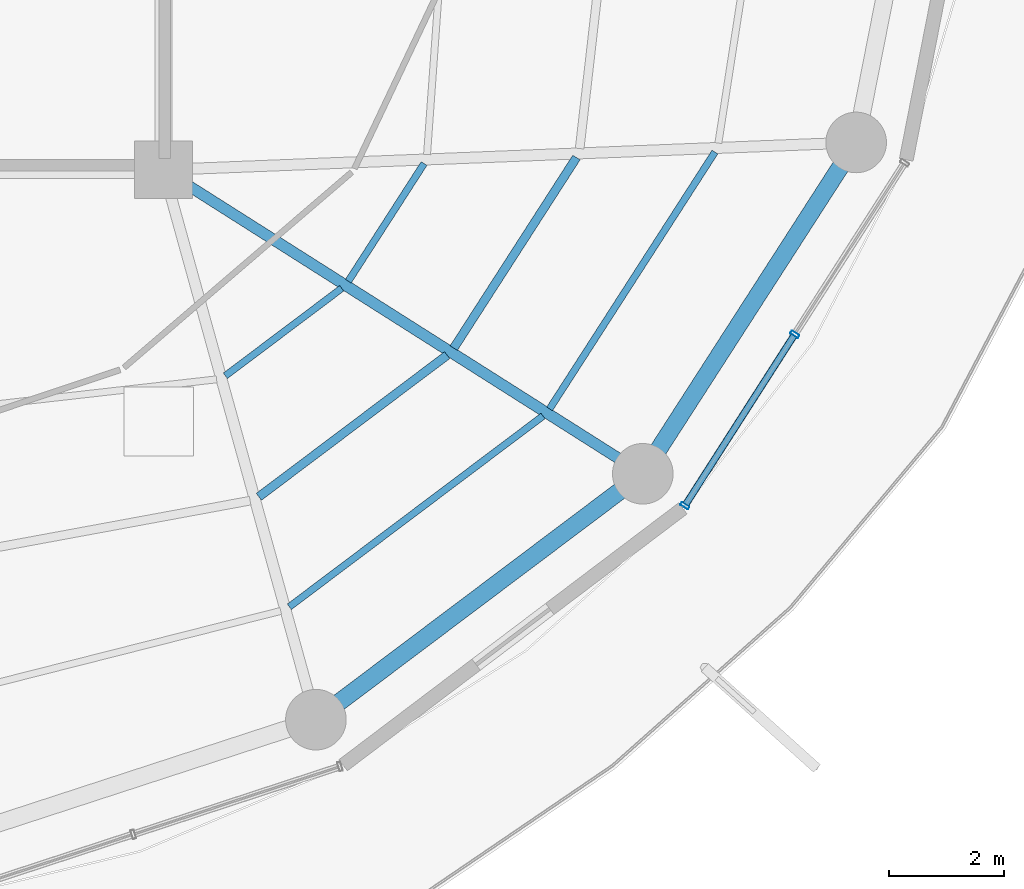
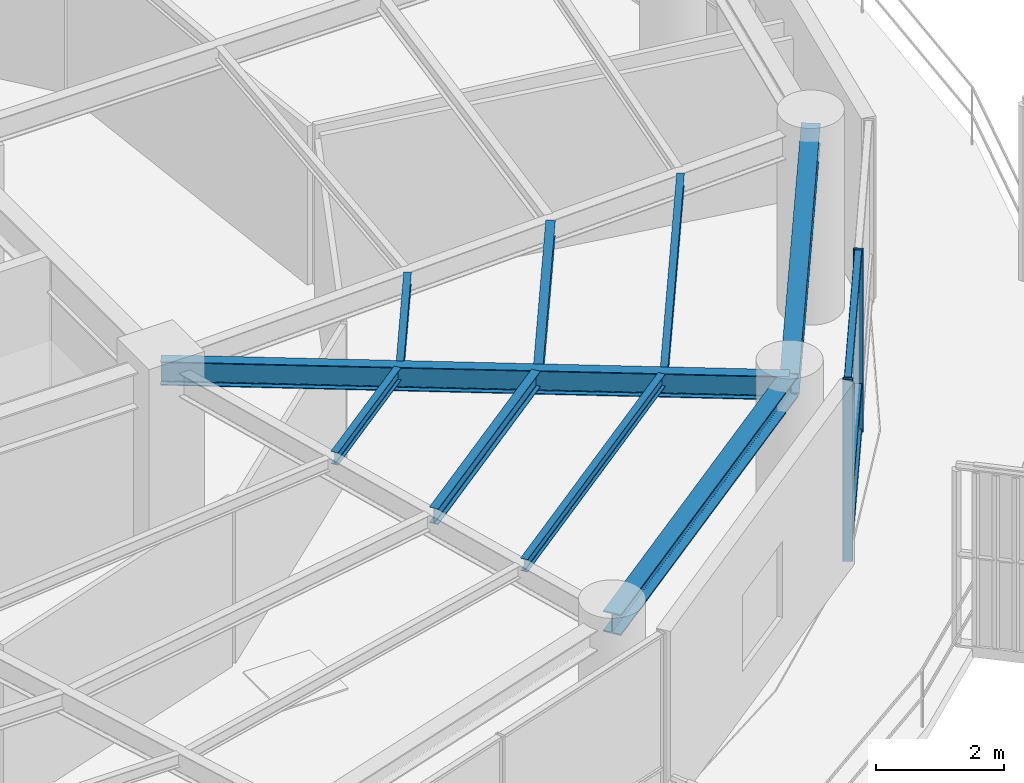
# One storey, part 11 of 31: 9 beams, 5 members, 1 element without a shape of its own.
"""IFC4 building model written with IfcOpenShell, lengths in metres."""

import ifcopenshell
import ifcopenshell.guid

model = None  # the IFC model being written
_history = None  # IfcOwnerHistory: only IFC2X3 demands one
_inside = {}  # id of a spatial element -> (the spatial element, [elements in it])
_under = {}  # id of a project, library or spatial element -> (it, [spatial elements below it])
_declared = {}  # id of a project -> (the project, [libraries it declares])
_typed = {}  # id of a type object -> (the type object, [elements of that type])
_made_of = {}  # id of a material, layer set ... -> (it, [elements and type objects made of it])


def new_model(schema):
    """Start an empty IFC model of exactly this schema.

    Asked for "IFC4X3", IfcOpenShell would pick the latest addendum, in which some entities
    have other attributes; the version numbers below select the first issue.
    IFC2X3 requires an IfcOwnerHistory on every rooted entity: one is made here for all.
    """
    global model, _history
    if schema == "IFC4X3":
        model = ifcopenshell.file(schema_version=(4, 3, 0, 0))
    else:
        model = ifcopenshell.file(schema=schema)
    _inside.clear()
    _under.clear()
    _declared.clear()
    _typed.clear()
    _made_of.clear()
    _history = None
    if model.schema == "IFC2X3":
        org = make("IfcOrganization", Name="unknown")
        user = make(
            "IfcPersonAndOrganization",
            ThePerson=make("IfcPerson", FamilyName="unknown"),
            TheOrganization=org,
        )
        app = make(
            "IfcApplication",
            ApplicationDeveloper=org,
            Version="unknown",
            ApplicationFullName="unknown",
            ApplicationIdentifier="unknown",
        )
        _history = make(
            "IfcOwnerHistory",
            OwningUser=user,
            OwningApplication=app,
            ChangeAction="ADDED",
            CreationDate=0,
        )
    return model


def make(cls, **values):
    """One entity of the class cls with the attributes given. An attribute that is None is left unset."""
    return model.create_entity(
        cls, **{name: value for name, value in values.items() if value is not None}
    )


def rooted(cls, **values):
    """An entity with a GlobalId (a new one), such as an element, a storey or a relation."""
    return make(cls, GlobalId=ifcopenshell.guid.new(), OwnerHistory=_history, **values)


def si_unit(unit_type, name, prefix=None):
    """IfcSIUnit, for example si_unit("LENGTHUNIT", "METRE", prefix="MILLI")."""
    return make("IfcSIUnit", UnitType=unit_type, Prefix=prefix, Name=name)


def assignment(units):
    """IfcUnitAssignment: the units of a project."""
    return None if units is None else make("IfcUnitAssignment", Units=units)


def point(xyz):
    """IfcCartesianPoint."""
    return None if xyz is None else make("IfcCartesianPoint", Coordinates=xyz)


def direction(xyz):
    """IfcDirection."""
    return None if xyz is None else make("IfcDirection", DirectionRatios=xyz)


def frame(location, z_axis=None, x_axis=None):
    """IfcAxis2Placement3D, a coordinate frame: its origin and axes. An axis left out is left unset."""
    return make(
        "IfcAxis2Placement3D",
        Location=point(location),
        Axis=direction(z_axis),
        RefDirection=direction(x_axis),
    )


def frame_2d(location, x_axis=None):
    """IfcAxis2Placement2D, a coordinate frame in the plane: its origin and x axis."""
    return make(
        "IfcAxis2Placement2D", Location=point(location), RefDirection=direction(x_axis)
    )


def origin():
    """The frame at (0, 0, 0) with its axes left unset."""
    return frame((0.0, 0.0, 0.0))


def origin_2d():
    """The frame at (0, 0) in the plane with its x axis left unset."""
    return frame_2d((0.0, 0.0))


def place(relative_to, where):
    """IfcLocalPlacement: puts the frame where relative to a parent placement (None: the world)."""
    return make(
        "IfcLocalPlacement", PlacementRelTo=relative_to, RelativePlacement=where
    )


def context(
    kind, dimensions, precision=None, world=None, true_north=None, identifier=None
):
    """IfcGeometricRepresentationContext, for example the 3D "Model" context."""
    return make(
        "IfcGeometricRepresentationContext",
        ContextIdentifier=identifier,
        ContextType=kind,
        CoordinateSpaceDimension=dimensions,
        Precision=precision,
        WorldCoordinateSystem=world,
        TrueNorth=true_north,
    )


def subcontext(parent, identifier, kind, view, scale=None):
    """IfcGeometricRepresentationSubContext, for example "Body" below "Model"."""
    return make(
        "IfcGeometricRepresentationSubContext",
        ContextIdentifier=identifier,
        ContextType=kind,
        ParentContext=parent,
        TargetScale=scale,
        TargetView=view,
    )


def project(units=None, contexts=None):
    """IfcProject with its units and contexts."""
    return rooted(
        "IfcProject",
        Name="project",
        RepresentationContexts=contexts,
        UnitsInContext=assignment(units),
    )


def spatial(cls, under=None, at=None, **own):
    """A site, building, storey or space (cls), placed at a placement, below another one or the project."""
    s = rooted(cls, ObjectPlacement=at, **own)
    if under is not None:
        _under.setdefault(under.id(), (under, []))[1].append(s)
    return s


def profile(cls, at=None, kind="AREA", **sizes):
    """A parametric profile (cls). Its sizes go by their IFC names, for example OverallWidth=200.0."""
    return make(cls, ProfileType=kind, Position=at, **sizes)


def hollow_rectangle(**sizes):
    """IfcRectangleHollowProfileDef."""
    return profile("IfcRectangleHollowProfileDef", **sizes)


def i_section(**sizes):
    """IfcIShapeProfileDef."""
    return profile("IfcIShapeProfileDef", **sizes)


def extrude(swept, where, along, depth):
    """IfcExtrudedAreaSolid: the profile swept, set in the frame where, extruded along a direction by depth."""
    return make(
        "IfcExtrudedAreaSolid",
        SweptArea=swept,
        Position=where,
        ExtrudedDirection=direction(along),
        Depth=depth,
    )


def shape(context_of_items, identifier, shape_type, items):
    """IfcShapeRepresentation: the items that make up one representation, for example the "Body"."""
    return make(
        "IfcShapeRepresentation",
        ContextOfItems=context_of_items,
        RepresentationIdentifier=identifier,
        RepresentationType=shape_type,
        Items=items,
    )


def material(Name=None, Category=None):
    """IfcMaterial."""
    return make("IfcMaterial", Name=Name, Category=Category)


def layer(
    of_material, thickness, ventilated=None, Name=None, Category=None, Priority=None
):
    """IfcMaterialLayer: one layer of a wall or slab, of a material (None: an air gap)."""
    return make(
        "IfcMaterialLayer",
        Material=of_material,
        LayerThickness=thickness,
        IsVentilated=ventilated,
        Name=Name,
        Category=Category,
        Priority=Priority,
    )


def layer_set(layers, Name=None):
    """IfcMaterialLayerSet."""
    return make("IfcMaterialLayerSet", MaterialLayers=layers, LayerSetName=Name)


def material_profile(
    of_material, cross_section, Name=None, Category=None, Priority=None
):
    """IfcMaterialProfile: a cross section and its material."""
    return make(
        "IfcMaterialProfile",
        Name=Name,
        Material=of_material,
        Profile=cross_section,
        Priority=Priority,
        Category=Category,
    )


def profile_set(profiles, Name=None, composite=None):
    """IfcMaterialProfileSet."""
    return make(
        "IfcMaterialProfileSet",
        Name=Name,
        MaterialProfiles=profiles,
        CompositeProfile=composite,
    )


def made_of(thing, what):
    """Note that an element or type object is made of a material, layer set ...; save() writes the relation."""
    if what is not None:
        _made_of.setdefault(what.id(), (what, []))[1].append(thing)
    return thing


def type_object(cls, material=None, **own):
    """A type object (cls), such as IfcWallType, which elements share."""
    return made_of(rooted(cls, **own), material)


def element(
    cls,
    number,
    at=None,
    inside=None,
    cuts=None,
    type_object=None,
    material=None,
    context=None,
    identifier="Body",
    shape_type=None,
    held_by="IfcProductDefinitionShape",
    body=None,
    shapes=None,
    **own,
):
    """One element of the class cls, such as IfcWall. Its Tag is "e" and its number.

    at: its placement. inside: the storey or other place that contains it. cuts: it is an
    opening in that element (IfcRelVoidsElement). A single representation is given by context,
    identifier, shape_type and body (its items); several are given by shapes. held_by: the class
    of the entity that holds the representations. save() writes the other relations.
    """
    e = rooted(cls, Tag="e%d" % number, ObjectPlacement=at, **own)
    if body is not None:
        shapes = [shape(context, identifier, shape_type, body)]
    if shapes is not None:
        e.Representation = make(held_by, Representations=shapes)
    if inside is not None:
        _inside.setdefault(inside.id(), (inside, []))[1].append(e)
    if cuts is not None:
        rooted(
            "IfcRelVoidsElement", RelatingBuildingElement=cuts, RelatedOpeningElement=e
        )
    if type_object is not None:
        _typed.setdefault(type_object.id(), (type_object, []))[1].append(e)
    return made_of(e, material)


def aggregate(whole, parts):
    """IfcRelAggregates: a whole, such as a stair, and the parts it consists of."""
    return rooted("IfcRelAggregates", RelatingObject=whole, RelatedObjects=parts)


def save(model, path):
    """Write the relations noted so far, then the file.

    IfcRelAggregates (storeys below a building ...), IfcRelContainedInSpatialStructure (elements
    in a storey), IfcRelDefinesByType, IfcRelAssociatesMaterial and IfcRelDeclares: one each for
    every whole, place, type object, material and project.
    """
    for whole, parts in _under.values():
        aggregate(whole, parts)
    for where, things in _inside.values():
        rooted(
            "IfcRelContainedInSpatialStructure",
            RelatedElements=things,
            RelatingStructure=where,
        )
    for kind, things in _typed.values():
        rooted("IfcRelDefinesByType", RelatedObjects=things, RelatingType=kind)
    for what, things in _made_of.values():
        rooted("IfcRelAssociatesMaterial", RelatedObjects=things, RelatingMaterial=what)
    for by, libraries in _declared.values():
        rooted("IfcRelDeclares", RelatingContext=by, RelatedDefinitions=libraries)
    model.write(path)


model = new_model("IFC4")

# Units and contexts
model_context = context("Model", 3, precision=1e-05, world=origin(), true_north=direction((0.0, 1.0)))
body_context = subcontext(model_context, "Body", "Model", "MODEL_VIEW")
ifc_project = project(units=[si_unit("LENGTHUNIT", "METRE"), si_unit("AREAUNIT", "SQUARE_METRE"), si_unit("VOLUMEUNIT", "CUBIC_METRE"), si_unit("PLANEANGLEUNIT", "RADIAN"), si_unit("MASSUNIT", "GRAM", prefix="KILO")], contexts=[model_context])

# Site, building, storey
site_placement = place(None, origin())
site = spatial("IfcSite", under=ifc_project, at=site_placement, CompositionType="ELEMENT")
building_placement = place(site_placement, origin())
building = spatial("IfcBuilding", under=site, at=building_placement, Name="Kelanora Arch Commons", CompositionType="ELEMENT")
storey_placement = place(building_placement, frame((0.0, 0.0, 226.949951171875)))
storey = spatial("IfcBuildingStorey", under=building, at=storey_placement, Name="L58", CompositionType="ELEMENT", Elevation=226.949951171875)

# Beams
ifc_material_1 = material(Name="Steel S355", Category="steel")
ifc_material_profile_1 = material_profile(ifc_material_1, i_section(OverallWidth=0.14990234375, OverallDepth=0.300048828125, WebThickness=0.007080078125, FlangeThickness=0.0107421875, FilletRadius=0.014892578125, at=origin_2d()), Name="IPE300")
ifc_profile_set_1 = profile_set([ifc_material_profile_1], Name="Steel S355")
beam_type_1 = type_object("IfcBeamType", Name="BM-JST-01", PredefinedType="JOIST", material=ifc_profile_set_1)
beam_1_placement = place(storey_placement, frame((83.65185546875, 45.3369140625, 3.340087890625), z_axis=(0.799101708656, 0.601195857624, 0.0), x_axis=(-0.601195857624, 0.799101708656, 0.0)))
element("IfcBeam", 1, at=beam_1_placement, inside=storey, type_object=beam_type_1, Name="Secondary Chord Joist BJB-30 L58", PredefinedType="JOIST", context=body_context, shape_type="SweptSolid", body=[
    extrude(i_section(OverallWidth=0.14990234375, OverallDepth=0.300048828125, WebThickness=0.007080078125, FlangeThickness=0.0107421875, FilletRadius=0.014892578125, at=origin_2d()), origin(), (0.0, 0.0, 1.0), 4.080810546875),
])
beam_2_placement = place(storey_placement, frame((87.02685546875, 47.912841796875, 3.340087890625), z_axis=(0.541411265892, 0.840757896879, 0.0), x_axis=(-0.840757896879, 0.541411265892, 0.0)))
element("IfcBeam", 2, at=beam_2_placement, inside=storey, type_object=beam_type_1, Name="Secondary Chord Joist BJB-32 L58", PredefinedType="JOIST", context=body_context, shape_type="SweptSolid", body=[
    extrude(i_section(OverallWidth=0.14990234375, OverallDepth=0.300048828125, WebThickness=0.007080078125, FlangeThickness=0.0107421875, FilletRadius=0.014892578125, at=origin_2d()), origin(), (0.0, 0.0, 1.0), 3.92529296875),
])
ifc_material_profile_2 = material_profile(ifc_material_1, i_section(OverallWidth=0.1201171875, OverallDepth=0.239990234375, WebThickness=0.006103515625, FlangeThickness=0.009765625, FilletRadius=0.014892578125, at=origin_2d()), Name="IPE240")
ifc_profile_set_2 = profile_set([ifc_material_profile_2], Name="Steel S355")
beam_type_2 = type_object("IfcBeamType", Name="BM-JST-02", PredefinedType="JOIST", material=ifc_profile_set_2)
beam_3_placement = place(storey_placement, frame((83.071044921875, 47.43212890625, 3.3701171875), z_axis=(0.79911638933, 0.601176343766, 0.0), x_axis=(-0.601176343766, 0.79911638933, 0.0)))
element("IfcBeam", 3, at=beam_3_placement, inside=storey, type_object=beam_type_2, Name="Secondary Chord Joist BJA-30 L58", PredefinedType="JOIST", context=body_context, shape_type="SweptSolid", body=[
    extrude(i_section(OverallWidth=0.1201171875, OverallDepth=0.239990234375, WebThickness=0.006103515625, FlangeThickness=0.009765625, FilletRadius=0.014892578125, at=origin_2d()), origin(), (0.0, 0.0, 1.0), 2.522216796875),
])
beam_4_placement = place(storey_placement, frame((84.179931640625, 43.43212890625, 3.3701171875), z_axis=(0.799109197935, 0.601185902842, 0.0), x_axis=(-0.601185902842, 0.799109197935, 0.0)))
element("IfcBeam", 4, at=beam_4_placement, inside=storey, type_object=beam_type_2, Name="Secondary Chord Joist BJC-30 L58", PredefinedType="JOIST", context=body_context, shape_type="SweptSolid", body=[
    extrude(i_section(OverallWidth=0.1201171875, OverallDepth=0.239990234375, WebThickness=0.006103515625, FlangeThickness=0.009765625, FilletRadius=0.014892578125, at=origin_2d()), origin(), (0.0, 0.0, 1.0), 5.497802734375),
])
beam_5_placement = place(storey_placement, frame((85.20068359375, 49.071044921875, 3.3701171875), z_axis=(0.541332763503, 0.840808443796, 0.0), x_axis=(-0.840808443796, 0.541332763503, 0.0)))
element("IfcBeam", 5, at=beam_5_placement, inside=storey, type_object=beam_type_2, Name="Secondary Chord Joist BJA-32 L58", PredefinedType="JOIST", context=body_context, shape_type="SweptSolid", body=[
    extrude(i_section(OverallWidth=0.1201171875, OverallDepth=0.239990234375, WebThickness=0.006103515625, FlangeThickness=0.009765625, FilletRadius=0.014892578125, at=origin_2d()), origin(), (0.0, 0.0, 1.0), 2.423583984375),
])
beam_6_placement = place(storey_placement, frame((88.68701171875, 46.85986328125, 3.3701171875), z_axis=(0.541382492679, 0.840776424872, 0.0), x_axis=(-0.840776424872, 0.541382492679, 0.0)))
element("IfcBeam", 6, at=beam_6_placement, inside=storey, type_object=beam_type_2, Name="Secondary Chord Joist BJC-32 L58", PredefinedType="JOIST", context=body_context, shape_type="SweptSolid", body=[
    extrude(i_section(OverallWidth=0.1201171875, OverallDepth=0.239990234375, WebThickness=0.006103515625, FlangeThickness=0.009765625, FilletRadius=0.014892578125, at=origin_2d()), origin(), (0.0, 0.0, 1.0), 5.29052734375),
])
ifc_material_profile_3 = material_profile(ifc_material_1, i_section(OverallWidth=0.18994140625, OverallDepth=0.449951171875, WebThickness=0.009521484375, FlangeThickness=0.0146484375, FilletRadius=0.02099609375, at=origin_2d()), Name="IPE450")
ifc_profile_set_3 = profile_set([ifc_material_profile_3], Name="Steel S355")
beam_type_3 = type_object("IfcBeamType", Name="BM-RAD-Z4", PredefinedType="BEAM", material=ifc_profile_set_3)
beam_7_placement = place(storey_placement, frame((82.0, 51.0, 3.26513671875), z_axis=(0.844507208607, -0.535544185489, 0.0), x_axis=(0.535544185489, 0.844507208607, 0.0)))
element("IfcBeam", 7, at=beam_7_placement, inside=storey, type_object=beam_type_3, Name="Radial Floor Girder BR-32 L58", PredefinedType="BEAM", context=body_context, shape_type="SweptSolid", body=[
    extrude(i_section(OverallWidth=0.18994140625, OverallDepth=0.449951171875, WebThickness=0.009521484375, FlangeThickness=0.0146484375, FilletRadius=0.02099609375, at=origin_2d()), origin(), (0.0, 0.0, 1.0), 9.830078125),
])
ifc_material_profile_4 = material_profile(ifc_material_1, i_section(OverallWidth=0.300048828125, OverallDepth=0.39990234375, WebThickness=0.013427734375, FlangeThickness=0.02392578125, FilletRadius=0.027099609375, at=origin_2d()), Name="HEB400")
ifc_profile_set_4 = profile_set([ifc_material_profile_4], Name="Steel S355")
beam_type_4 = type_object("IfcBeamType", Name="BM-SPN-Z4", PredefinedType="SPANDREL", material=ifc_profile_set_4)
beam_8_placement = place(storey_placement, frame((84.639892578125, 41.476318359375, 3.2900390625), z_axis=(0.799114211715, 0.60117923836, 0.0), x_axis=(-0.60117923836, 0.799114211715, 0.0)))
element("IfcBeam", 8, at=beam_8_placement, inside=storey, type_object=beam_type_4, Name="Perimeter Spandrel Beam BS-30 L58", PredefinedType="SPANDREL", context=body_context, shape_type="SweptSolid", body=[
    extrude(i_section(OverallWidth=0.300048828125, OverallDepth=0.39990234375, WebThickness=0.013427734375, FlangeThickness=0.02392578125, FilletRadius=0.027099609375, at=origin_2d()), origin(), (0.0, 0.0, 1.0), 7.0849609375),
])
beam_9_placement = place(storey_placement, frame((90.301513671875, 45.735595703125, 3.2900390625), z_axis=(0.541364878868, 0.840787766281, 0.0), x_axis=(-0.840787766281, 0.541364878868, 0.0)))
element("IfcBeam", 9, at=beam_9_placement, inside=storey, type_object=beam_type_4, Name="Perimeter Spandrel Beam BS-32 L58", PredefinedType="SPANDREL", context=body_context, shape_type="SweptSolid", body=[
    extrude(i_section(OverallWidth=0.300048828125, OverallDepth=0.39990234375, WebThickness=0.013427734375, FlangeThickness=0.02392578125, FilletRadius=0.027099609375, at=origin_2d()), origin(), (0.0, 0.0, 1.0), 6.825439453125),
])

# Curtain wall, members
ifc_material_2 = material(Name="Terracotta ceramic-fritted low-E glass and aluminium", Category="masonry")
ifc_layer = layer(ifc_material_2, 0.175048828125)
ifc_layer_set = layer_set([ifc_layer], Name="Terracotta ceramic-fritted low-E glass and aluminium")
curtain_wall_type = type_object("IfcCurtainWallType", Name="CW-SYS-02", PredefinedType="NOTDEFINED", material=ifc_layer_set)
curtain_wall_placement = place(storey_placement, origin())
curtain_wall = element("IfcCurtainWall", 10, at=curtain_wall_placement, inside=storey, type_object=curtain_wall_type, Name="Unitised Curtain Wall L58-B16", PredefinedType="NOTDEFINED")
ifc_material_3 = material(Name="Powder-coated aluminium terracotta", Category="masonry")
ifc_material_profile_5 = material_profile(ifc_material_3, hollow_rectangle(XDim=0.159912109375, YDim=0.06005859375, WallThickness=0.0048828125, InnerFilletRadius=0.0048828125, OuterFilletRadius=0.010009765625, at=origin_2d()), Name="CWM160x60")
ifc_profile_set_5 = profile_set([ifc_material_profile_5], Name="Powder-coated aluminium terracotta")
member_type_1 = type_object("IfcMemberType", Name="CWM-STD", PredefinedType="MULLION", material=ifc_profile_set_5)
member_1_placement = place(storey_placement, frame((91.030517578125, 45.18212890625, 0.0), z_axis=(0.0, 0.0, 1.0), x_axis=(-0.84194757539, 0.539559338994, 0.0)))
member_1 = element("IfcMember", 11, at=member_1_placement, type_object=member_type_1, Name="CW-02 mullion 1", PredefinedType="MULLION", context=body_context, shape_type="SweptSolid", body=[
    extrude(hollow_rectangle(XDim=0.159912109375, YDim=0.06005859375, WallThickness=0.0048828125, InnerFilletRadius=0.0048828125, OuterFilletRadius=0.010009765625, at=origin_2d()), origin(), (0.0, 0.0, 1.0), 3.47509765625),
])
member_2_placement = place(storey_placement, frame((92.93359375, 48.15185546875, 0.0), z_axis=(0.0, 0.0, 1.0), x_axis=(-0.84194757539, 0.539559338994, 0.0)))
member_2 = element("IfcMember", 12, at=member_2_placement, type_object=member_type_1, Name="CW-02 mullion 2", PredefinedType="MULLION", context=body_context, shape_type="SweptSolid", body=[
    extrude(hollow_rectangle(XDim=0.159912109375, YDim=0.06005859375, WallThickness=0.0048828125, InnerFilletRadius=0.0048828125, OuterFilletRadius=0.010009765625, at=origin_2d()), origin(), (0.0, 0.0, 1.0), 3.47509765625),
])
ifc_material_profile_6 = material_profile(ifc_material_3, hollow_rectangle(XDim=0.1201171875, YDim=0.06005859375, WallThickness=0.0048828125, InnerFilletRadius=0.0048828125, OuterFilletRadius=0.010009765625, at=origin_2d()), Name="CWT120x60")
ifc_profile_set_6 = profile_set([ifc_material_profile_6], Name="Powder-coated aluminium terracotta")
member_type_2 = type_object("IfcMemberType", Name="CWT-STD", PredefinedType="USERDEFINED", material=ifc_profile_set_6)
member_3_placement = place(storey_placement, frame((91.046630859375, 45.207275390625, 0.030029296875), z_axis=(0.53954710894, 0.841955412854, 0.0), x_axis=(-0.841955412854, 0.53954710894, 0.0)))
member_3 = element("IfcMember", 13, at=member_3_placement, type_object=member_type_2, Name="CW-02 transom 1.1", ObjectType="TRANSOM", PredefinedType="USERDEFINED", context=body_context, shape_type="SweptSolid", body=[
    extrude(hollow_rectangle(XDim=0.1201171875, YDim=0.06005859375, WallThickness=0.0048828125, InnerFilletRadius=0.0048828125, OuterFilletRadius=0.010009765625, at=origin_2d()), origin(), (0.0, 0.0, 1.0), 3.467529296875),
])
member_4_placement = place(storey_placement, frame((91.046630859375, 45.207275390625, 0.900146484375), z_axis=(0.53954710894, 0.841955412854, 0.0), x_axis=(-0.841955412854, 0.53954710894, 0.0)))
member_4 = element("IfcMember", 14, at=member_4_placement, type_object=member_type_2, Name="CW-02 transom 1.2", ObjectType="TRANSOM", PredefinedType="USERDEFINED", context=body_context, shape_type="SweptSolid", body=[
    extrude(hollow_rectangle(XDim=0.1201171875, YDim=0.06005859375, WallThickness=0.0048828125, InnerFilletRadius=0.0048828125, OuterFilletRadius=0.010009765625, at=origin_2d()), origin(), (0.0, 0.0, 1.0), 3.467529296875),
])
member_5_placement = place(storey_placement, frame((91.046630859375, 45.207275390625, 3.445068359375), z_axis=(0.53954710894, 0.841955412854, 0.0), x_axis=(-0.841955412854, 0.53954710894, 0.0)))
member_5 = element("IfcMember", 15, at=member_5_placement, type_object=member_type_2, Name="CW-02 transom 1.3", ObjectType="TRANSOM", PredefinedType="USERDEFINED", context=body_context, shape_type="SweptSolid", body=[
    extrude(hollow_rectangle(XDim=0.1201171875, YDim=0.06005859375, WallThickness=0.0048828125, InnerFilletRadius=0.0048828125, OuterFilletRadius=0.010009765625, at=origin_2d()), origin(), (0.0, 0.0, 1.0), 3.467529296875),
])
aggregate(curtain_wall, [member_1, member_2, member_3, member_4, member_5])

save(model, "model.ifc")
